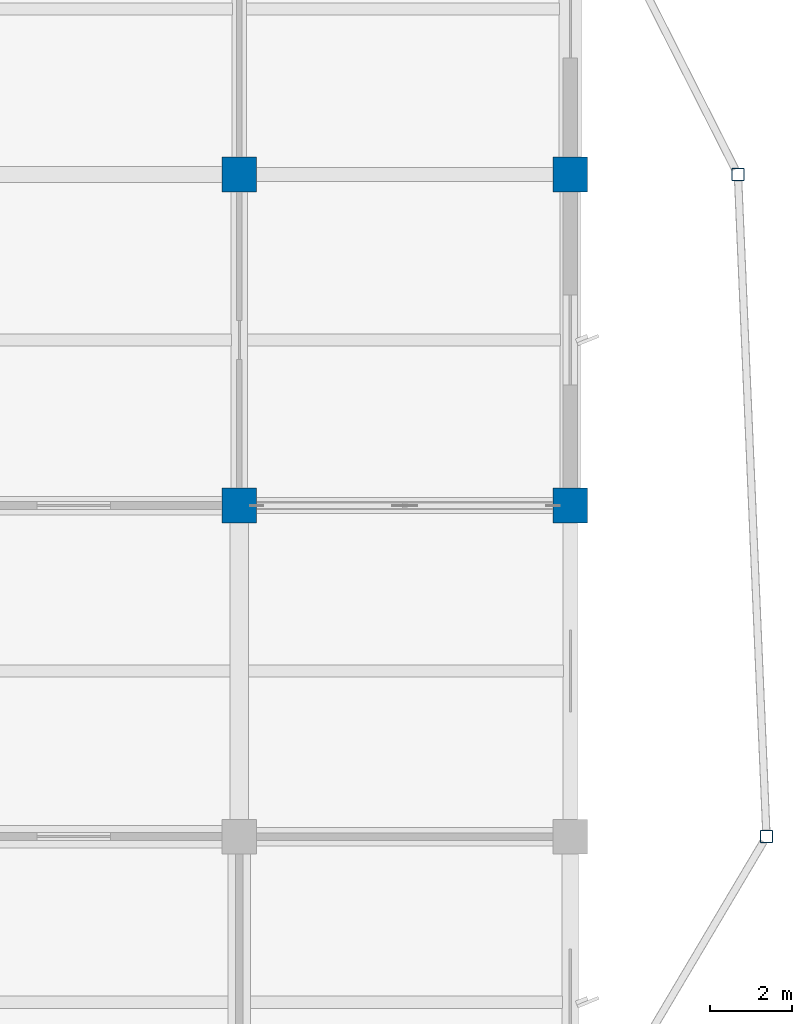
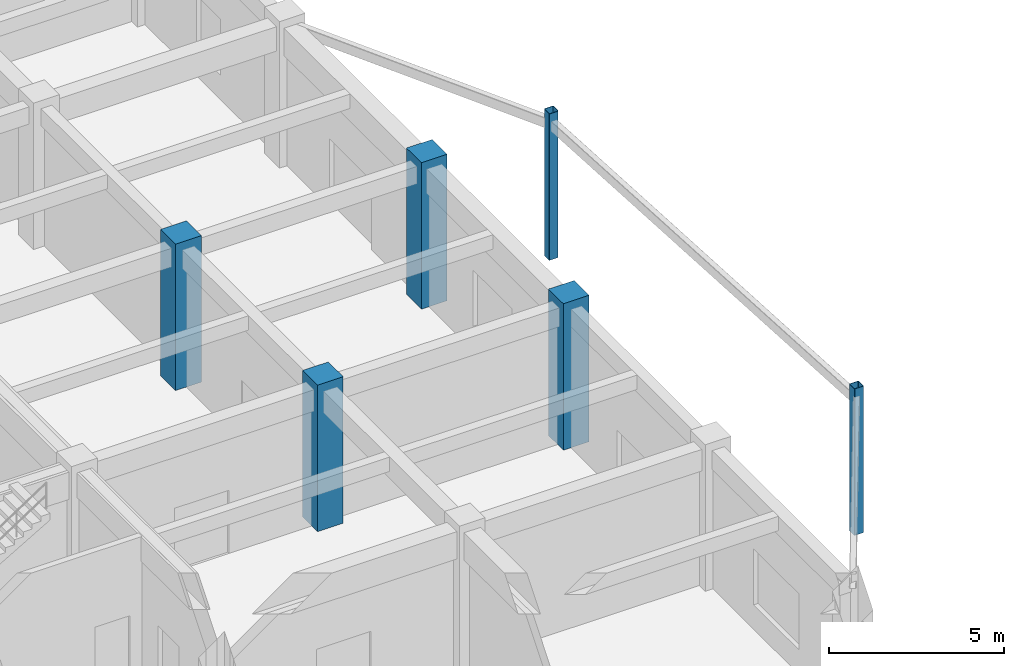
# One storey, part 13 of 99: 6 columns.
"""IFC4 building model written with IfcOpenShell, lengths in metres."""

from ifc_helpers import new_model, si_unit, direction, frame, origin, origin_2d, place, context, subcontext, project, spatial, rectangle, hollow_rectangle, extrude, material, material_profile, profile_set, type_object, element, save


model = new_model("IFC4")

# Units and contexts
model_context = context("Model", 3, precision=1e-05, world=origin(), true_north=direction((0.0, 1.0)))
body_context = subcontext(model_context, "Body", "Model", "MODEL_VIEW")
ifc_project = project(units=[si_unit("LENGTHUNIT", "METRE"), si_unit("AREAUNIT", "SQUARE_METRE"), si_unit("VOLUMEUNIT", "CUBIC_METRE"), si_unit("PLANEANGLEUNIT", "RADIAN"), si_unit("MASSUNIT", "GRAM", prefix="KILO")], contexts=[model_context])

# Site, building, storey
site_placement = place(None, origin())
site = spatial("IfcSite", under=ifc_project, at=site_placement, CompositionType="ELEMENT")
building_placement = place(site_placement, origin())
building = spatial("IfcBuilding", under=site, at=building_placement, Name="Vaudrelin Polytechnic", CompositionType="ELEMENT")
storey_placement = place(building_placement, origin())
storey = spatial("IfcBuildingStorey", under=building, at=storey_placement, Name="L00", CompositionType="ELEMENT", Elevation=0.0)

# Columns
ifc_material_1 = material(Name="Steel CSA G40.21 350WT", Category="steel")
ifc_material_profile_1 = material_profile(ifc_material_1, hollow_rectangle(XDim=0.304931640625, YDim=0.304931640625, WallThickness=0.0126953125, InnerFilletRadius=0.0126953125, OuterFilletRadius=0.025390625, at=origin_2d()), Name="HSS305x305x12.7")
ifc_profile_set_1 = profile_set([ifc_material_profile_1], Name="Steel CSA G40.21 350WT")
column_type_1 = type_object("IfcColumnType", Name="COL-C-HSS305", PredefinedType="COLUMN", material=ifc_profile_set_1)
for number, where, z_axis, x_axis, name in (
    (1, (174.89990234375, 32.39990234375, 0.0), (0.0, 0.0, 1.0), (1.0, 0.0, 0.0), "Deconstructivist column L00 E_OR1_1"),
    (2, (174.199951171875, 48.60009765625, 0.0), (0.0, 0.0, 1.0), (1.0, 0.0, 0.0), "Deconstructivist column L00 E_OR1_2"),
):
    element("IfcColumn", number, at=place(storey_placement, frame(where, z_axis=z_axis, x_axis=x_axis)), inside=storey, type_object=column_type_1, Name=name, PredefinedType="COLUMN", context=body_context, shape_type="SweptSolid", body=[
        extrude(hollow_rectangle(XDim=0.304931640625, YDim=0.304931640625, WallThickness=0.0126953125, InnerFilletRadius=0.0126953125, OuterFilletRadius=0.025390625, at=origin_2d()), origin(), (0.0, 0.0, 1.0), 5.10009765625),
    ])
ifc_material_2 = material(Name="Concrete 50 MPa", Category="concrete")
ifc_material_profile_2 = material_profile(ifc_material_2, rectangle(XDim=0.85009765625, YDim=0.85009765625, at=origin_2d()), Name="RC850x850")
ifc_profile_set_2 = profile_set([ifc_material_profile_2], Name="Concrete 50 MPa")
column_type_2 = type_object("IfcColumnType", Name="COL-C-RC850", PredefinedType="COLUMN", material=ifc_profile_set_2)
for number, where, z_axis, x_axis, name in (
    (3, (162.0, 40.5, 0.0), (0.0, 0.0, 1.0), (1.0, 0.0, 0.0), "Column L00 21-6"),
    (4, (162.0, 48.60009765625, 0.0), (0.0, 0.0, 1.0), (1.0, 0.0, 0.0), "Column L00 21-7"),
    (5, (170.10009765625, 40.5, 0.0), (0.0, 0.0, 1.0), (1.0, 0.0, 0.0), "Column L00 22-6"),
    (6, (170.10009765625, 48.60009765625, 0.0), (0.0, 0.0, 1.0), (1.0, 0.0, 0.0), "Column L00 22-7"),
):
    element("IfcColumn", number, at=place(storey_placement, frame(where, z_axis=z_axis, x_axis=x_axis)), inside=storey, type_object=column_type_2, Name=name, PredefinedType="COLUMN", context=body_context, shape_type="SweptSolid", body=[
        extrude(rectangle(XDim=0.85009765625, YDim=0.85009765625, at=origin_2d()), origin(), (0.0, 0.0, 1.0), 5.10009765625),
    ])

save(model, "model.ifc")
